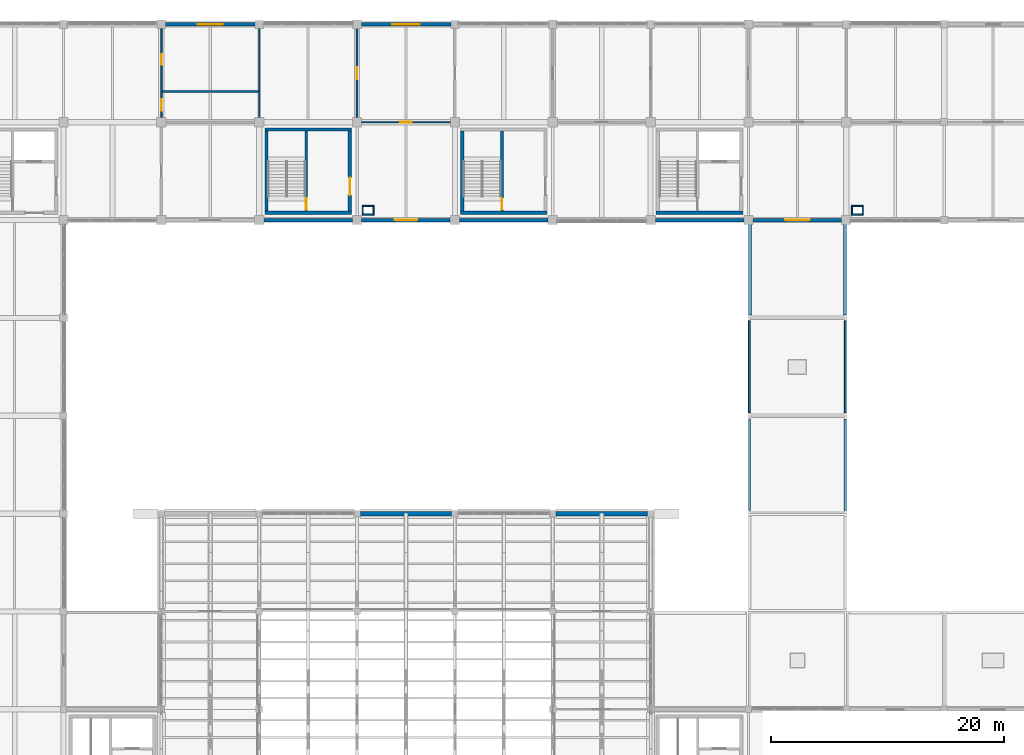
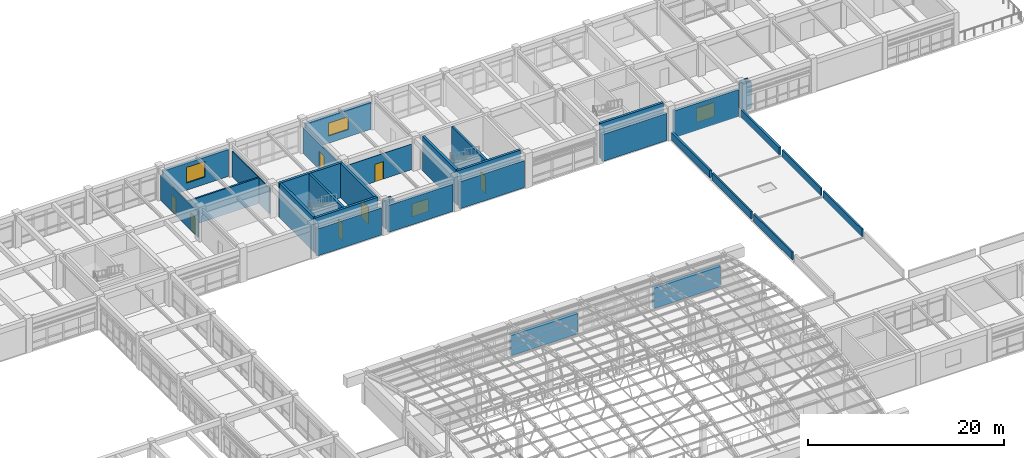
# One storey, part 66 of 74: 37 walls, 7 doors, 4 windows, 11 openings.
"""IFC4 building model written with IfcOpenShell, lengths in metres."""

from ifc_helpers import new_model, si_unit, direction, frame, frame_2d, origin, place, context, subcontext, project, spatial, rectangle, extrude, material, layer, layer_set, type_object, element, fill, save


model = new_model("IFC4")

# Units and contexts
model_context = context("Model", 3, precision=1e-05, world=origin(), true_north=direction((0.0, 1.0)))
body_context = subcontext(model_context, "Body", "Model", "MODEL_VIEW")
ifc_project = project(units=[si_unit("LENGTHUNIT", "METRE"), si_unit("AREAUNIT", "SQUARE_METRE"), si_unit("VOLUMEUNIT", "CUBIC_METRE"), si_unit("PLANEANGLEUNIT", "RADIAN"), si_unit("MASSUNIT", "GRAM", prefix="KILO")], contexts=[model_context])

# Site, building, storey
site_placement = place(None, origin())
site = spatial("IfcSite", under=ifc_project, at=site_placement, CompositionType="ELEMENT")
building_placement = place(site_placement, origin())
building = spatial("IfcBuilding", under=site, at=building_placement, Name="Porcellanite Civic Hall", CompositionType="ELEMENT")
storey_placement = place(building_placement, frame((0.0, 0.0, 14.760009765625)))
storey = spatial("IfcBuildingStorey", under=building, at=storey_placement, Name="L03", CompositionType="ELEMENT", Elevation=14.760009765625)

# Wall, opening, door
ifc_material_1 = material(Name="Concrete N40 (40 MPa)", Category="concrete")
ifc_layer_1 = layer(ifc_material_1, 0.239990234375)
ifc_layer_set_1 = layer_set([ifc_layer_1], Name="Concrete N40 (40 MPa)")
wall_type_1 = type_object("IfcWallType", Name="CW-SH240", PredefinedType="SHEAR", material=ifc_layer_set_1)
wall_1_placement = place(storey_placement, frame((79.639892578125, 101.56005859375, 0.0), z_axis=(0.0, 0.0, 1.0), x_axis=(0.0, 1.0, 0.0)))
wall_1 = element("IfcWall", 1, at=wall_1_placement, inside=storey, type_object=wall_type_1, Name="Core divider S9 L03", PredefinedType="SHEAR", context=body_context, shape_type="SweptSolid", body=[
    extrude(rectangle(XDim=6.8798828125, YDim=0.239990234375, at=frame_2d((3.43994140625, 0.0))), origin(), (0.0, 0.0, 1.0), 4.320068359375),
])
opening_1_placement = place(wall_1_placement, frame((0.1201171875, 0.0, 0.0)))
opening_1 = element("IfcOpeningElement", 2, at=opening_1_placement, cuts=wall_1, Name="Opening FD-S9-L03-ST", PredefinedType="OPENING", context=body_context, shape_type="SweptSolid", body=[
    extrude(rectangle(XDim=1.0, YDim=2.14990234375, at=frame_2d((0.5, 1.074951171875))), frame((0.0, 0.1201171875, 0.0), z_axis=(0.0, -1.0, 0.0), x_axis=(1.0, 0.0, 0.0)), (0.0, 0.0, 1.0), 0.239990234375),
])
ifc_material_2 = material(Name="Fire-rated solid-core hardwood timber", Category="wood")
door_type_1 = type_object("IfcDoorType", Name="DR-FD100", OperationType="NOTDEFINED", PredefinedType="DOOR", material=ifc_material_2)
door_1_placement = place(opening_1_placement, origin())
door_1 = element("IfcDoor", 3, at=door_1_placement, inside=storey, type_object=door_type_1, Name="Fire stair door FD-S9-L03-ST", OperationType="SINGLE_SWING_RIGHT", OverallHeight=2.14990234375, OverallWidth=1.0, PredefinedType="DOOR", context=body_context, shape_type="SweptSolid", body=[
    extrude(rectangle(XDim=1.0, YDim=2.14990234375, at=frame_2d((0.5, 1.074951171875))), frame((0.0, 0.02490234375, 0.0), z_axis=(0.0, -1.0, 0.0), x_axis=(1.0, 0.0, 0.0)), (0.0, 0.0, 1.0), 0.050048828125),
])
fill(opening_1, door_1)

wall_2_placement = place(storey_placement, frame((96.43994140625, 101.56005859375, 0.0), z_axis=(0.0, 0.0, 1.0), x_axis=(0.0, 1.0, 0.0)))
wall_2 = element("IfcWall", 4, at=wall_2_placement, inside=storey, type_object=wall_type_1, Name="Core divider S10 L03", PredefinedType="SHEAR", context=body_context, shape_type="SweptSolid", body=[
    extrude(rectangle(XDim=6.8798828125, YDim=0.239990234375, at=frame_2d((3.43994140625, 0.0))), origin(), (0.0, 0.0, 1.0), 4.320068359375),
])
opening_2_placement = place(wall_2_placement, frame((0.1201171875, 0.0, 0.0)))
opening_2 = element("IfcOpeningElement", 5, at=opening_2_placement, cuts=wall_2, Name="Opening FD-S10-L03-ST", PredefinedType="OPENING", context=body_context, shape_type="SweptSolid", body=[
    extrude(rectangle(XDim=1.0, YDim=2.14990234375, at=frame_2d((0.5, 1.074951171875))), frame((0.0, 0.1201171875, 0.0), z_axis=(0.0, -1.0, 0.0), x_axis=(1.0, 0.0, 0.0)), (0.0, 0.0, 1.0), 0.239990234375),
])
door_2_placement = place(opening_2_placement, origin())
door_2 = element("IfcDoor", 6, at=door_2_placement, inside=storey, type_object=door_type_1, Name="Fire stair door FD-S10-L03-ST", OperationType="SINGLE_SWING_LEFT", OverallHeight=2.14990234375, OverallWidth=1.0, PredefinedType="DOOR", context=body_context, shape_type="SweptSolid", body=[
    extrude(rectangle(XDim=1.0, YDim=2.14990234375, at=frame_2d((0.5, 1.074951171875))), frame((0.0, 0.02490234375, 0.0), z_axis=(0.0, -1.0, 0.0), x_axis=(1.0, 0.0, 0.0)), (0.0, 0.0, 1.0), 0.050048828125),
])
fill(opening_2, door_2)

# Walls
ifc_material_3 = material(Name="Concrete N40 (40 MPa)", Category="concrete")
ifc_layer_2 = layer(ifc_material_3, 0.280029296875)
ifc_layer_set_2 = layer_set([ifc_layer_2], Name="Concrete N40 (40 MPa)")
wall_type_2 = type_object("IfcWallType", Name="CW-SH280", PredefinedType="SHEAR", material=ifc_layer_set_2)
wall_3_placement = place(storey_placement, frame((117.1201171875, 101.419921875, 0.0), z_axis=(0.0, 0.0, 1.0), x_axis=(-1.0, 0.0, 0.0)))
element("IfcWall", 7, at=wall_3_placement, inside=storey, type_object=wall_type_2, Name="Core wall C4 L03 S", PredefinedType="SHEAR", context=body_context, shape_type="SweptSolid", body=[
    extrude(rectangle(XDim=7.440185546875, YDim=0.280029296875, at=frame_2d((3.72021484375, 0.0))), origin(), (0.0, 0.0, 1.0), 4.320068359375),
])
wall_4_placement = place(storey_placement, frame((83.52001953125, 101.419921875, 0.0), z_axis=(0.0, 0.0, 1.0), x_axis=(-1.0, 0.0, 0.0)))
element("IfcWall", 8, at=wall_4_placement, inside=storey, type_object=wall_type_2, Name="Core wall S9 L03 S", PredefinedType="SHEAR", context=body_context, shape_type="SweptSolid", body=[
    extrude(rectangle(XDim=7.43994140625, YDim=0.280029296875, at=frame_2d((3.719970703125, 0.0))), origin(), (0.0, 0.0, 1.0), 4.320068359375),
])
wall_5_placement = place(storey_placement, frame((76.219970703125, 101.56005859375, 0.0), z_axis=(0.0, 0.0, 1.0), x_axis=(0.0, 1.0, 0.0)))
element("IfcWall", 9, at=wall_5_placement, inside=storey, type_object=wall_type_2, Name="Core wall S9 L03 W", PredefinedType="SHEAR", context=body_context, shape_type="SweptSolid", body=[
    extrude(rectangle(XDim=6.8798828125, YDim=0.280029296875, at=frame_2d((3.43994140625, 0.0))), origin(), (0.0, 0.0, 1.0), 4.320068359375),
])
wall_6_placement = place(storey_placement, frame((76.080078125, 108.580078125, 0.0), z_axis=(0.0, 0.0, 1.0), x_axis=(1.0, 0.0, 0.0)))
element("IfcWall", 10, at=wall_6_placement, inside=storey, type_object=wall_type_2, Name="Core wall S9 L03 N", PredefinedType="SHEAR", context=body_context, shape_type="SweptSolid", body=[
    extrude(rectangle(XDim=7.43994140625, YDim=0.280029296875, at=frame_2d((3.719970703125, 0.0))), origin(), (0.0, 0.0, 1.0), 4.320068359375),
])

# Wall, opening, door
wall_7_placement = place(storey_placement, frame((83.3798828125, 108.43994140625, 0.0), z_axis=(0.0, 0.0, 1.0), x_axis=(0.0, -1.0, 0.0)))
wall_7 = element("IfcWall", 11, at=wall_7_placement, inside=storey, type_object=wall_type_2, Name="Core wall S9 L03 E", PredefinedType="SHEAR", context=body_context, shape_type="SweptSolid", body=[
    extrude(rectangle(XDim=6.8798828125, YDim=0.280029296875, at=frame_2d((3.43994140625, 0.0))), origin(), (0.0, 0.0, 1.0), 4.320068359375),
])
opening_3_placement = place(wall_7_placement, frame((3.989990234375, 0.0, 0.0)))
opening_3 = element("IfcOpeningElement", 12, at=opening_3_placement, cuts=wall_7, Name="Opening FD-S9-L03-LB", PredefinedType="OPENING", context=body_context, shape_type="SweptSolid", body=[
    extrude(rectangle(XDim=1.5, YDim=2.14990234375, at=frame_2d((0.75, 1.074951171875))), frame((0.0, 0.14013671875, 0.0), z_axis=(0.0, -1.0, 0.0), x_axis=(1.0, 0.0, 0.0)), (0.0, 0.0, 1.0), 0.280029296875),
])
ifc_material_4 = material(Name="Fire-rated steel and Georgian wired glass", Category="steel")
door_type_2 = type_object("IfcDoorType", Name="DR-FD150", OperationType="DOUBLE_DOOR_SINGLE_SWING", PredefinedType="DOOR", material=ifc_material_4)
door_3_placement = place(opening_3_placement, origin())
door_3 = element("IfcDoor", 13, at=door_3_placement, inside=storey, type_object=door_type_2, Name="Fire lobby double door FD-S9-L03-LB", OperationType="DOUBLE_DOOR_SINGLE_SWING", OverallHeight=2.14990234375, OverallWidth=1.5, PredefinedType="DOOR", context=body_context, shape_type="SweptSolid", body=[
    extrude(rectangle(XDim=1.5, YDim=2.14990234375, at=frame_2d((0.75, 1.074951171875))), frame((0.0, 0.02490234375, 0.0), z_axis=(0.0, -1.0, 0.0), x_axis=(1.0, 0.0, 0.0)), (0.0, 0.0, 1.0), 0.050048828125),
])
fill(opening_3, door_3)

# Walls
wall_8_placement = place(storey_placement, frame((100.320068359375, 101.419921875, 0.0), z_axis=(0.0, 0.0, 1.0), x_axis=(-1.0, 0.0, 0.0)))
element("IfcWall", 14, at=wall_8_placement, inside=storey, type_object=wall_type_2, Name="Core wall S10 L03 S", PredefinedType="SHEAR", context=body_context, shape_type="SweptSolid", body=[
    extrude(rectangle(XDim=7.440185546875, YDim=0.280029296875, at=frame_2d((3.72021484375, 0.0))), origin(), (0.0, 0.0, 1.0), 4.320068359375),
])
wall_9_placement = place(storey_placement, frame((93.02001953125, 101.56005859375, 0.0), z_axis=(0.0, 0.0, 1.0), x_axis=(0.0, 1.0, 0.0)))
element("IfcWall", 15, at=wall_9_placement, inside=storey, type_object=wall_type_2, Name="Core wall S10 L03 W", PredefinedType="SHEAR", context=body_context, shape_type="SweptSolid", body=[
    extrude(rectangle(XDim=6.8798828125, YDim=0.280029296875, at=frame_2d((3.43994140625, 0.0))), origin(), (0.0, 0.0, 1.0), 4.320068359375),
])

# Wall, opening, window
ifc_material_5 = material(Name="Precast concrete N40 (40 MPa)", Category="concrete")
ifc_layer_3 = layer(ifc_material_5, 0.300048828125)
ifc_layer_set_3 = layer_set([ifc_layer_3], Name="Precast concrete N40 (40 MPa)")
wall_type_3 = type_object("IfcWallType", Name="EW-ADM300", PredefinedType="SOLIDWALL", material=ifc_layer_set_3)
wall_10_placement = place(storey_placement, frame((67.575927734375, 117.60009765625, 0.0), z_axis=(0.0, 0.0, 1.0), x_axis=(1.0, 0.0, 0.0)))
wall_10 = element("IfcWall", 16, at=wall_10_placement, inside=storey, type_object=wall_type_3, Name="Exterior wall L03 N 9-14", PredefinedType="SOLIDWALL", context=body_context, shape_type="SweptSolid", body=[
    extrude(rectangle(XDim=7.673095703125, YDim=0.300048828125, at=frame_2d((3.83642578125, 0.0))), origin(), (0.0, 0.0, 1.0), 3.369873046875),
])
opening_4_placement = place(wall_10_placement, frame((2.760986328125, 0.0, 0.89990234375)))
opening_4 = element("IfcOpeningElement", 17, at=opening_4_placement, cuts=wall_10, Name="Opening W32", PredefinedType="OPENING", context=body_context, shape_type="SweptSolid", body=[
    extrude(rectangle(XDim=2.14990234375, YDim=1.949951171875, at=frame_2d((1.074951171875, 0.97509765625))), frame((0.0, 0.14990234375, 0.0), z_axis=(0.0, -1.0, 0.0), x_axis=(1.0, 0.0, 0.0)), (0.0, 0.0, 1.0), 0.300048828125),
])
ifc_material_6 = material(Name="Cyclone laminated low-E glazing in anodised aluminium frame", Category="aluminium")
window_type_1 = type_object("IfcWindowType", Name="WN-32", PartitioningType="DOUBLE_PANEL_VERTICAL", PredefinedType="WINDOW", material=ifc_material_6)
window_1_placement = place(opening_4_placement, origin())
window_1 = element("IfcWindow", 18, at=window_1_placement, inside=storey, type_object=window_type_1, Name="Window W32 L03 N 9-14", OverallHeight=1.949951171875, OverallWidth=2.14990234375, PartitioningType="SINGLE_PANEL", PredefinedType="WINDOW", context=body_context, shape_type="SweptSolid", body=[
    extrude(rectangle(XDim=2.14990234375, YDim=1.949951171875, at=frame_2d((1.074951171875, 0.97509765625))), frame((0.0, 0.030029296875, 0.0), z_axis=(0.0, -1.0, 0.0), x_axis=(1.0, 0.0, 0.0)), (0.0, 0.0, 1.0), 0.06005859375),
])
fill(opening_4, window_1)

# Wall
wall_11_placement = place(storey_placement, frame((83.59912109375, 100.800048828125, 0.0), z_axis=(0.0, 0.0, 1.0), x_axis=(-1.0, 0.0, 0.0)))
element("IfcWall", 19, at=wall_11_placement, inside=storey, type_object=wall_type_3, Name="Exterior wall L03 S 10-13", PredefinedType="SOLIDWALL", context=body_context, shape_type="SweptSolid", body=[
    extrude(rectangle(XDim=7.59814453125, YDim=0.300048828125, at=frame_2d((3.799072265625, 0.0))), origin(), (0.0, 0.0, 1.0), 3.369873046875),
])

# Wall, opening, window
wall_12_placement = place(storey_placement, frame((91.9990234375, 100.800048828125, 0.0), z_axis=(0.0, 0.0, 1.0), x_axis=(-1.0, 0.0, 0.0)))
wall_12 = element("IfcWall", 20, at=wall_12_placement, inside=storey, type_object=wall_type_3, Name="Exterior wall L03 S 11-13", PredefinedType="SOLIDWALL", context=body_context, shape_type="SweptSolid", body=[
    extrude(rectangle(XDim=7.59814453125, YDim=0.300048828125, at=frame_2d((3.799072265625, 0.0))), origin(), (0.0, 0.0, 1.0), 3.369873046875),
])
opening_5_placement = place(wall_12_placement, frame((2.823974609375, 0.0, 0.89990234375)))
opening_5 = element("IfcOpeningElement", 21, at=opening_5_placement, cuts=wall_12, Name="Opening W35", PredefinedType="OPENING", context=body_context, shape_type="SweptSolid", body=[
    extrude(rectangle(XDim=1.949951171875, YDim=1.60009765625, at=frame_2d((0.97509765625, 0.800048828125))), frame((0.0, 0.14990234375, 0.0), z_axis=(0.0, -1.0, 0.0), x_axis=(1.0, 0.0, 0.0)), (0.0, 0.0, 1.0), 0.300048828125),
])
ifc_material_7 = material(Name="Cyclone laminated low-E glazing in anodised aluminium frame", Category="aluminium")
window_type_2 = type_object("IfcWindowType", Name="WN-35", PartitioningType="DOUBLE_PANEL_VERTICAL", PredefinedType="WINDOW", material=ifc_material_7)
window_2_placement = place(opening_5_placement, origin())
window_2 = element("IfcWindow", 22, at=window_2_placement, inside=storey, type_object=window_type_2, Name="Window W35 L03 S 11-13", OverallHeight=1.60009765625, OverallWidth=1.949951171875, PartitioningType="SINGLE_PANEL", PredefinedType="WINDOW", context=body_context, shape_type="SweptSolid", body=[
    extrude(rectangle(XDim=1.949951171875, YDim=1.60009765625, at=frame_2d((0.97509765625, 0.800048828125))), frame((0.0, 0.030029296875, 0.0), z_axis=(0.0, -1.0, 0.0), x_axis=(1.0, 0.0, 0.0)), (0.0, 0.0, 1.0), 0.06005859375),
])
fill(opening_5, window_2)

wall_13_placement = place(storey_placement, frame((84.3759765625, 117.60009765625, 0.0), z_axis=(0.0, 0.0, 1.0), x_axis=(1.0, 0.0, 0.0)))
wall_13 = element("IfcWall", 23, at=wall_13_placement, inside=storey, type_object=wall_type_3, Name="Exterior wall L03 N 11-14", PredefinedType="SOLIDWALL", context=body_context, shape_type="SweptSolid", body=[
    extrude(rectangle(XDim=7.673095703125, YDim=0.300048828125, at=frame_2d((3.83642578125, 0.0))), origin(), (0.0, 0.0, 1.0), 3.369873046875),
])
opening_6_placement = place(wall_13_placement, frame((2.662109375, 0.0, 0.89990234375)))
opening_6 = element("IfcOpeningElement", 24, at=opening_6_placement, cuts=wall_13, Name="Opening W36", PredefinedType="OPENING", context=body_context, shape_type="SweptSolid", body=[
    extrude(rectangle(XDim=2.35009765625, YDim=1.60009765625, at=frame_2d((1.175048828125, 0.800048828125))), frame((0.0, 0.14990234375, 0.0), z_axis=(0.0, -1.0, 0.0), x_axis=(1.0, 0.0, 0.0)), (0.0, 0.0, 1.0), 0.300048828125),
])
ifc_material_8 = material(Name="Cyclone laminated low-E glazing in anodised aluminium frame", Category="aluminium")
window_type_3 = type_object("IfcWindowType", Name="WN-36", PartitioningType="DOUBLE_PANEL_VERTICAL", PredefinedType="WINDOW", material=ifc_material_8)
window_3_placement = place(opening_6_placement, origin())
window_3 = element("IfcWindow", 25, at=window_3_placement, inside=storey, type_object=window_type_3, Name="Window W36 L03 N 11-14", OverallHeight=1.60009765625, OverallWidth=2.35009765625, PartitioningType="SINGLE_PANEL", PredefinedType="WINDOW", context=body_context, shape_type="SweptSolid", body=[
    extrude(rectangle(XDim=2.35009765625, YDim=1.60009765625, at=frame_2d((1.175048828125, 0.800048828125))), frame((0.0, 0.030029296875, 0.0), z_axis=(0.0, -1.0, 0.0), x_axis=(1.0, 0.0, 0.0)), (0.0, 0.0, 1.0), 0.06005859375),
])
fill(opening_6, window_3)

# Walls
for number, where, z_axis, x_axis, name in (
    (26, (100.39892578125, 100.800048828125, 0.0), (0.0, 0.0, 1.0), (-1.0, 0.0, 0.0), "Exterior wall L03 S 12-13"),
    (27, (117.198974609375, 100.800048828125, 0.0), (0.0, 0.0, 1.0), (-1.0, 0.0, 0.0), "Exterior wall L03 S 14-13"),
):
    element("IfcWall", number, at=place(storey_placement, frame(where, z_axis=z_axis, x_axis=x_axis)), inside=storey, type_object=wall_type_3, Name=name, PredefinedType="SOLIDWALL", context=body_context, shape_type="SweptSolid", body=[
        extrude(rectangle(XDim=7.597900390625, YDim=0.300048828125, at=frame_2d((3.798828125, 0.0))), origin(), (0.0, 0.0, 1.0), 3.369873046875),
    ])

# Wall, opening, window
wall_14_placement = place(storey_placement, frame((125.59912109375, 100.800048828125, 0.0), z_axis=(0.0, 0.0, 1.0), x_axis=(-1.0, 0.0, 0.0)))
wall_14 = element("IfcWall", 28, at=wall_14_placement, inside=storey, type_object=wall_type_3, Name="Exterior wall L03 S 15-13", PredefinedType="SOLIDWALL", context=body_context, shape_type="SweptSolid", body=[
    extrude(rectangle(XDim=7.59814453125, YDim=0.300048828125, at=frame_2d((3.799072265625, 0.0))), origin(), (0.0, 0.0, 1.0), 3.369873046875),
])
opening_7_placement = place(wall_14_placement, frame((2.7490234375, 0.0, 0.89990234375)))
opening_7 = element("IfcOpeningElement", 29, at=opening_7_placement, cuts=wall_14, Name="Opening W02", PredefinedType="OPENING", context=body_context, shape_type="SweptSolid", body=[
    extrude(rectangle(XDim=2.10009765625, YDim=1.800048828125, at=frame_2d((1.050048828125, 0.89990234375))), frame((0.0, 0.14990234375, 0.0), z_axis=(0.0, -1.0, 0.0), x_axis=(1.0, 0.0, 0.0)), (0.0, 0.0, 1.0), 0.300048828125),
])
ifc_material_9 = material(Name="Cyclone laminated low-E glazing in anodised aluminium frame", Category="aluminium")
window_type_4 = type_object("IfcWindowType", Name="WN-02", PartitioningType="DOUBLE_PANEL_VERTICAL", PredefinedType="WINDOW", material=ifc_material_9)
window_4_placement = place(opening_7_placement, origin())
window_4 = element("IfcWindow", 30, at=window_4_placement, inside=storey, type_object=window_type_4, Name="Window W02 L03 S 15-13", OverallHeight=1.800048828125, OverallWidth=2.10009765625, PartitioningType="SINGLE_PANEL", PredefinedType="WINDOW", context=body_context, shape_type="SweptSolid", body=[
    extrude(rectangle(XDim=2.10009765625, YDim=1.800048828125, at=frame_2d((1.050048828125, 0.89990234375))), frame((0.0, 0.030029296875, 0.0), z_axis=(0.0, -1.0, 0.0), x_axis=(1.0, 0.0, 0.0)), (0.0, 0.0, 1.0), 0.06005859375),
])
fill(opening_7, window_4)

# Walls
ifc_material_10 = material(Name="Precast concrete N40 (40 MPa)", Category="concrete")
ifc_layer_4 = layer(ifc_material_10, 0.3798828125)
ifc_layer_set_4 = layer_set([ifc_layer_4], Name="Precast concrete N40 (40 MPa)")
wall_type_4 = type_object("IfcWallType", Name="EW-DRUM380", PredefinedType="SOLIDWALL", material=ifc_layer_set_4)
for number, where, z_axis, x_axis, name in (
    (31, (84.27587890625, 75.60009765625, 0.0), (0.0, 0.0, 1.0), (1.0, 0.0, 0.0), "Exterior wall L03 N 11-9"),
    (32, (101.075927734375, 75.60009765625, 0.0), (0.0, 0.0, 1.0), (1.0, 0.0, 0.0), "Exterior wall L03 N 13-9"),
):
    element("IfcWall", number, at=place(storey_placement, frame(where, z_axis=z_axis, x_axis=x_axis)), inside=storey, type_object=wall_type_4, Name=name, PredefinedType="SOLIDWALL", context=body_context, shape_type="SweptSolid", body=[
        extrude(rectangle(XDim=7.84814453125, YDim=0.3798828125, at=frame_2d((3.924072265625, 0.0))), origin(), (0.0, 0.0, 1.0), 2.52001953125),
    ])
ifc_material_11 = material(Name="Fire-rated shaftwall plasterboard on steel studs", Category="steel")
ifc_layer_5 = layer(ifc_material_11, 0.117919921875)
ifc_layer_set_5 = layer_set([ifc_layer_5], Name="Fire-rated shaftwall plasterboard on steel studs")
wall_type_5 = type_object("IfcWallType", Name="IW-FR118", PredefinedType="PARTITIONING", material=ifc_layer_set_5)
for number, where, z_axis, x_axis, name in (
    (33, (84.431884765625, 101.291015625, 0.0), (0.0, 0.0, 1.0), (1.0, 0.0, 0.0), "Fire riser shaftwall S L03 10-12"),
    (34, (84.431884765625, 102.009033203125, 0.0), (0.0, 0.0, 1.0), (1.0, 0.0, 0.0), "Fire riser shaftwall N L03 10-12"),
):
    element("IfcWall", number, at=place(storey_placement, frame(where, z_axis=z_axis, x_axis=x_axis)), inside=storey, type_object=wall_type_5, Name=name, PredefinedType="PARTITIONING", context=body_context, shape_type="SweptSolid", body=[
        extrude(rectangle(XDim=1.0361328125, YDim=0.117919921875, at=frame_2d((0.51806640625, 0.0))), origin(), (0.0, 0.0, 1.0), 3.35009765625),
    ])
for number, where, z_axis, x_axis, name in (
    (35, (84.490966796875, 101.35009765625, 0.0), (0.0, 0.0, 1.0), (0.0, 1.0, 0.0), "Fire riser shaftwall W L03 10-12"),
    (36, (85.408935546875, 101.35009765625, 0.0), (0.0, 0.0, 1.0), (0.0, 1.0, 0.0), "Fire riser shaftwall E L03 10-12"),
):
    element("IfcWall", number, at=place(storey_placement, frame(where, z_axis=z_axis, x_axis=x_axis)), inside=storey, type_object=wall_type_5, Name=name, PredefinedType="PARTITIONING", context=body_context, shape_type="SweptSolid", body=[
        extrude(rectangle(XDim=0.599853515625, YDim=0.117919921875, at=frame_2d((0.2998046875, 0.0))), origin(), (0.0, 0.0, 1.0), 3.35009765625),
    ])
for number, where, z_axis, x_axis, name in (
    (37, (126.431884765625, 101.291015625, 0.0), (0.0, 0.0, 1.0), (1.0, 0.0, 0.0), "Fire riser shaftwall S L03 15-12"),
    (38, (126.431884765625, 102.009033203125, 0.0), (0.0, 0.0, 1.0), (1.0, 0.0, 0.0), "Fire riser shaftwall N L03 15-12"),
):
    element("IfcWall", number, at=place(storey_placement, frame(where, z_axis=z_axis, x_axis=x_axis)), inside=storey, type_object=wall_type_5, Name=name, PredefinedType="PARTITIONING", context=body_context, shape_type="SweptSolid", body=[
        extrude(rectangle(XDim=1.0361328125, YDim=0.117919921875, at=frame_2d((0.51806640625, 0.0))), origin(), (0.0, 0.0, 1.0), 3.35009765625),
    ])
for number, where, z_axis, x_axis, name in (
    (39, (126.490966796875, 101.35009765625, 0.0), (0.0, 0.0, 1.0), (0.0, 1.0, 0.0), "Fire riser shaftwall W L03 15-12"),
    (40, (127.408935546875, 101.35009765625, 0.0), (0.0, 0.0, 1.0), (0.0, 1.0, 0.0), "Fire riser shaftwall E L03 15-12"),
):
    element("IfcWall", number, at=place(storey_placement, frame(where, z_axis=z_axis, x_axis=x_axis)), inside=storey, type_object=wall_type_5, Name=name, PredefinedType="PARTITIONING", context=body_context, shape_type="SweptSolid", body=[
        extrude(rectangle(XDim=0.599853515625, YDim=0.117919921875, at=frame_2d((0.2998046875, 0.0))), origin(), (0.0, 0.0, 1.0), 3.35009765625),
    ])

# Wall, opening, door
ifc_material_12 = material(Name="Insulated acoustic plasterboard on light-gauge steel studs", Category="steel")
ifc_layer_6 = layer(ifc_material_12, 0.094970703125)
ifc_layer_set_6 = layer_set([ifc_layer_6], Name="Insulated acoustic plasterboard on light-gauge steel studs")
wall_type_6 = type_object("IfcWallType", Name="IW-PT095", PredefinedType="PARTITIONING", material=ifc_layer_set_6)
wall_15_placement = place(storey_placement, frame((84.402099609375, 109.199951171875, 0.0), z_axis=(0.0, 0.0, 1.0), x_axis=(1.0, 0.0, 0.0)))
wall_15 = element("IfcWall", 41, at=wall_15_placement, inside=storey, type_object=wall_type_6, Name="Partition L03 H 11-13", PredefinedType="PARTITIONING", context=body_context, shape_type="SweptSolid", body=[
    extrude(rectangle(XDim=7.595947265625, YDim=0.094970703125, at=frame_2d((3.7978515625, 0.0))), origin(), (0.0, 0.0, 1.0), 3.18994140625),
])
opening_8_placement = place(wall_15_placement, frame((3.30810546875, 0.0, 0.0)))
opening_8 = element("IfcOpeningElement", 42, at=opening_8_placement, cuts=wall_15, Name="Opening D-L03-421", PredefinedType="OPENING", context=body_context, shape_type="SweptSolid", body=[
    extrude(rectangle(XDim=0.97998046875, YDim=2.179931640625, at=frame_2d((0.489990234375, 1.08984375))), frame((0.0, 0.04736328125, 0.0), z_axis=(0.0, -1.0, 0.0), x_axis=(1.0, 0.0, 0.0)), (0.0, 0.0, 1.0), 0.094970703125),
])
ifc_material_13 = material(Name="Solid-core spotted-gum timber", Category="wood")
door_type_3 = type_object("IfcDoorType", Name="DR-RM098", OperationType="NOTDEFINED", PredefinedType="DOOR", material=ifc_material_13)
door_4_placement = place(opening_8_placement, origin())
door_4 = element("IfcDoor", 43, at=door_4_placement, inside=storey, type_object=door_type_3, Name="Interior door D-L03-421", OperationType="SINGLE_SWING_LEFT", OverallHeight=2.179931640625, OverallWidth=0.97998046875, PredefinedType="DOOR", context=body_context, shape_type="SweptSolid", body=[
    extrude(rectangle(XDim=0.97998046875, YDim=2.179931640625, at=frame_2d((0.489990234375, 1.08984375))), frame((0.0, 0.02490234375, 0.0), z_axis=(0.0, -1.0, 0.0), x_axis=(1.0, 0.0, 0.0)), (0.0, 0.0, 1.0), 0.050048828125),
])
fill(opening_8, door_4)

# Wall
ifc_material_14 = material(Name="Insulated acoustic plasterboard on light-gauge steel studs", Category="steel")
ifc_layer_7 = layer(ifc_material_14, 0.10498046875)
ifc_layer_set_7 = layer_set([ifc_layer_7], Name="Insulated acoustic plasterboard on light-gauge steel studs")
wall_type_7 = type_object("IfcWallType", Name="IW-PT105", PredefinedType="PARTITIONING", material=ifc_layer_set_7)
wall_16_placement = place(storey_placement, frame((75.60009765625, 109.60205078125, 0.0), z_axis=(0.0, 0.0, 1.0), x_axis=(0.0, 1.0, 0.0)))
element("IfcWall", 44, at=wall_16_placement, inside=storey, type_object=wall_type_7, Name="Partition L03 V 9-14", PredefinedType="PARTITIONING", context=body_context, shape_type="SweptSolid", body=[
    extrude(rectangle(XDim=7.64599609375, YDim=0.10498046875, at=frame_2d((3.822998046875, 0.0))), origin(), (0.0, 0.0, 1.0), 3.18994140625),
])

# Wall, openings, doors
ifc_material_15 = material(Name="Insulated acoustic plasterboard on light-gauge steel studs", Category="steel")
ifc_layer_8 = layer(ifc_material_15, 0.135009765625)
ifc_layer_set_8 = layer_set([ifc_layer_8], Name="Insulated acoustic plasterboard on light-gauge steel studs")
wall_type_8 = type_object("IfcWallType", Name="IW-PT135", PredefinedType="PARTITIONING", material=ifc_layer_set_8)
wall_17_placement = place(storey_placement, frame((67.199951171875, 109.60205078125, 0.0), z_axis=(0.0, 0.0, 1.0), x_axis=(0.0, 1.0, 0.0)))
wall_17 = element("IfcWall", 45, at=wall_17_placement, inside=storey, type_object=wall_type_8, Name="Partition L03 V 8-14", PredefinedType="PARTITIONING", context=body_context, shape_type="SweptSolid", body=[
    extrude(rectangle(XDim=7.620849609375, YDim=0.135009765625, at=frame_2d((3.810546875, 0.0))), origin(), (0.0, 0.0, 1.0), 3.18994140625),
])
opening_9_placement = place(wall_17_placement, frame((0.572998046875, 0.0, 0.0)))
opening_9 = element("IfcOpeningElement", 46, at=opening_9_placement, cuts=wall_17, Name="Opening D-L03-410", PredefinedType="OPENING", context=body_context, shape_type="SweptSolid", body=[
    extrude(rectangle(XDim=0.97998046875, YDim=2.080078125, at=frame_2d((0.489990234375, 1.0400390625))), frame((0.0, 0.0673828125, 0.0), z_axis=(0.0, -1.0, 0.0), x_axis=(1.0, 0.0, 0.0)), (0.0, 0.0, 1.0), 0.135009765625),
])
opening_10_placement = place(wall_17_placement, frame((4.512939453125, 0.0, 0.0)))
opening_10 = element("IfcOpeningElement", 47, at=opening_10_placement, cuts=wall_17, Name="Opening D-L03-411", PredefinedType="OPENING", context=body_context, shape_type="SweptSolid", body=[
    extrude(rectangle(XDim=0.93994140625, YDim=2.080078125, at=frame_2d((0.469970703125, 1.0400390625))), frame((0.0, 0.0673828125, 0.0), z_axis=(0.0, -1.0, 0.0), x_axis=(1.0, 0.0, 0.0)), (0.0, 0.0, 1.0), 0.135009765625),
])
ifc_material_16 = material(Name="Moisture-resistant laminate solid-core timber", Category="wood")
door_type_4 = type_object("IfcDoorType", Name="DR-WC094", OperationType="NOTDEFINED", PredefinedType="DOOR", material=ifc_material_16)
door_5_placement = place(opening_10_placement, origin())
door_5 = element("IfcDoor", 48, at=door_5_placement, inside=storey, type_object=door_type_4, Name="Interior door D-L03-411", OperationType="SINGLE_SWING_LEFT", OverallHeight=2.080078125, OverallWidth=0.93994140625, PredefinedType="DOOR", context=body_context, shape_type="SweptSolid", body=[
    extrude(rectangle(XDim=0.93994140625, YDim=2.080078125, at=frame_2d((0.469970703125, 1.0400390625))), frame((0.0, 0.02490234375, 0.0), z_axis=(0.0, -1.0, 0.0), x_axis=(1.0, 0.0, 0.0)), (0.0, 0.0, 1.0), 0.050048828125),
])
fill(opening_10, door_5)
ifc_material_17 = material(Name="Moisture-resistant laminate solid-core timber", Category="wood")
door_type_5 = type_object("IfcDoorType", Name="DR-WC098", OperationType="NOTDEFINED", PredefinedType="DOOR", material=ifc_material_17)
door_6_placement = place(opening_9_placement, origin())
door_6 = element("IfcDoor", 49, at=door_6_placement, inside=storey, type_object=door_type_5, Name="Interior door D-L03-410", OperationType="SINGLE_SWING_RIGHT", OverallHeight=2.080078125, OverallWidth=0.97998046875, PredefinedType="DOOR", context=body_context, shape_type="SweptSolid", body=[
    extrude(rectangle(XDim=0.97998046875, YDim=2.080078125, at=frame_2d((0.489990234375, 1.0400390625))), frame((0.0, 0.02490234375, 0.0), z_axis=(0.0, -1.0, 0.0), x_axis=(1.0, 0.0, 0.0)), (0.0, 0.0, 1.0), 0.050048828125),
])
fill(opening_9, door_6)

# Wall
ifc_material_18 = material(Name="Insulated acoustic plasterboard on light-gauge steel studs", Category="steel")
ifc_layer_9 = layer(ifc_material_18, 0.18505859375)
ifc_layer_set_9 = layer_set([ifc_layer_9], Name="Insulated acoustic plasterboard on light-gauge steel studs")
wall_type_9 = type_object("IfcWallType", Name="IW-PT185", PredefinedType="PARTITIONING", material=ifc_layer_set_9)
wall_18_placement = place(storey_placement, frame((67.26953125, 111.85009765625, 0.0), z_axis=(0.0, 0.0, 1.0), x_axis=(1.0, 0.0, 0.0)))
element("IfcWall", 50, at=wall_18_placement, inside=storey, type_object=wall_type_9, Name="Partition L03 sub 9-14", PredefinedType="PARTITIONING", context=body_context, shape_type="SweptSolid", body=[
    extrude(rectangle(XDim=8.27587890625, YDim=0.18505859375, at=frame_2d((4.137939453125, 0.0))), origin(), (0.0, 0.0, 1.0), 3.18994140625),
])

# Wall, opening, door
ifc_material_19 = material(Name="Insulated acoustic plasterboard on light-gauge steel studs", Category="steel")
ifc_layer_10 = layer(ifc_material_19, 0.195068359375)
ifc_layer_set_10 = layer_set([ifc_layer_10], Name="Insulated acoustic plasterboard on light-gauge steel studs")
wall_type_10 = type_object("IfcWallType", Name="IW-PT195", PredefinedType="PARTITIONING", material=ifc_layer_set_10)
wall_19_placement = place(storey_placement, frame((84.0, 109.60205078125, 0.0), z_axis=(0.0, 0.0, 1.0), x_axis=(0.0, 1.0, 0.0)))
wall_19 = element("IfcWall", 51, at=wall_19_placement, inside=storey, type_object=wall_type_10, Name="Partition L03 V 10-14", PredefinedType="PARTITIONING", context=body_context, shape_type="SweptSolid", body=[
    extrude(rectangle(XDim=7.620849609375, YDim=0.195068359375, at=frame_2d((3.810546875, 0.0))), origin(), (0.0, 0.0, 1.0), 3.18994140625),
])
opening_11_placement = place(wall_19_placement, frame((3.301025390625, 0.0, 0.0)))
opening_11 = element("IfcOpeningElement", 52, at=opening_11_placement, cuts=wall_19, Name="Opening D-L03-445", PredefinedType="OPENING", context=body_context, shape_type="SweptSolid", body=[
    extrude(rectangle(XDim=1.02001953125, YDim=2.199951171875, at=frame_2d((0.510009765625, 1.10009765625))), frame((0.0, 0.09765625, 0.0), z_axis=(0.0, -1.0, 0.0), x_axis=(1.0, 0.0, 0.0)), (0.0, 0.0, 1.0), 0.195068359375),
])
ifc_material_20 = material(Name="Solid-core spotted-gum timber", Category="wood")
door_type_6 = type_object("IfcDoorType", Name="DR-RM102", OperationType="NOTDEFINED", PredefinedType="DOOR", material=ifc_material_20)
door_7_placement = place(opening_11_placement, origin())
door_7 = element("IfcDoor", 53, at=door_7_placement, inside=storey, type_object=door_type_6, Name="Interior door D-L03-445", OperationType="SINGLE_SWING_LEFT", OverallHeight=2.199951171875, OverallWidth=1.02001953125, PredefinedType="DOOR", context=body_context, shape_type="SweptSolid", body=[
    extrude(rectangle(XDim=1.02001953125, YDim=2.199951171875, at=frame_2d((0.510009765625, 1.10009765625))), frame((0.0, 0.02490234375, 0.0), z_axis=(0.0, -1.0, 0.0), x_axis=(1.0, 0.0, 0.0)), (0.0, 0.0, 1.0), 0.050048828125),
])
fill(opening_11, door_7)

# Walls
ifc_material_21 = material(Name="Precast concrete N40 (40 MPa)", Category="concrete")
ifc_layer_11 = layer(ifc_material_21, 0.25)
ifc_layer_set_11 = layer_set([ifc_layer_11], Name="Precast concrete N40 (40 MPa)")
wall_type_11 = type_object("IfcWallType", Name="WP-PAR1", PredefinedType="PARAPET", material=ifc_layer_set_11)
for number, where, z_axis, x_axis, name in (
    (54, (117.72509765625, 92.659912109375, 0.0), (0.0, 0.0, 1.0), (0.0, 1.0, 0.0), "Roof parapet L03 W 15-12"),
    (55, (125.875, 100.5400390625, 0.0), (0.0, 0.0, 1.0), (0.0, -1.0, 0.0), "Roof parapet L03 E 15-12"),
):
    element("IfcWall", number, at=place(storey_placement, frame(where, z_axis=z_axis, x_axis=x_axis)), inside=storey, type_object=wall_type_11, Name=name, PredefinedType="PARAPET", context=body_context, shape_type="SweptSolid", body=[
        extrude(rectangle(XDim=7.880126953125, YDim=0.25, at=frame_2d((3.93994140625, 0.0))), origin(), (0.0, 0.0, 1.0), 0.949951171875),
    ])
ifc_material_22 = material(Name="Precast concrete N40 (40 MPa)", Category="concrete")
ifc_layer_12 = layer(ifc_material_22, 0.18994140625)
ifc_layer_set_12 = layer_set([ifc_layer_12], Name="Precast concrete N40 (40 MPa)")
wall_type_12 = type_object("IfcWallType", Name="WP-PAR4", PredefinedType="PARAPET", material=ifc_layer_set_12)
for number, where, z_axis, x_axis, name in (
    (56, (117.695068359375, 75.860107421875, 0.0), (0.0, 0.0, 1.0), (0.0, 1.0, 0.0), "Roof parapet L03 W 15-10"),
    (57, (125.905029296875, 83.739990234375, 0.0), (0.0, 0.0, 1.0), (0.0, -1.0, 0.0), "Roof parapet L03 E 15-10"),
):
    element("IfcWall", number, at=place(storey_placement, frame(where, z_axis=z_axis, x_axis=x_axis)), inside=storey, type_object=wall_type_12, Name=name, PredefinedType="PARAPET", context=body_context, shape_type="SweptSolid", body=[
        extrude(rectangle(XDim=7.8798828125, YDim=0.18994140625, at=frame_2d((3.93994140625, 0.0))), origin(), (0.0, 0.0, 1.0), 0.949951171875),
    ])
ifc_material_23 = material(Name="Precast concrete N40 (40 MPa)", Category="concrete")
ifc_layer_13 = layer(ifc_material_23, 0.169921875)
ifc_layer_set_13 = layer_set([ifc_layer_13], Name="Precast concrete N40 (40 MPa)")
wall_type_13 = type_object("IfcWallType", Name="WP-PAR5", PredefinedType="PARAPET", material=ifc_layer_set_13)
for number, where, z_axis, x_axis, name in (
    (58, (117.68505859375, 84.260009765625, 0.0), (0.0, 0.0, 1.0), (0.0, 1.0, 0.0), "Roof parapet L03 W 15-11"),
    (59, (125.9150390625, 92.139892578125, 0.0), (0.0, 0.0, 1.0), (0.0, -1.0, 0.0), "Roof parapet L03 E 15-11"),
):
    element("IfcWall", number, at=place(storey_placement, frame(where, z_axis=z_axis, x_axis=x_axis)), inside=storey, type_object=wall_type_13, Name=name, PredefinedType="PARAPET", context=body_context, shape_type="SweptSolid", body=[
        extrude(rectangle(XDim=7.8798828125, YDim=0.169921875, at=frame_2d((3.93994140625, 0.0))), origin(), (0.0, 0.0, 1.0), 0.949951171875),
    ])

save(model, "model.ifc")
